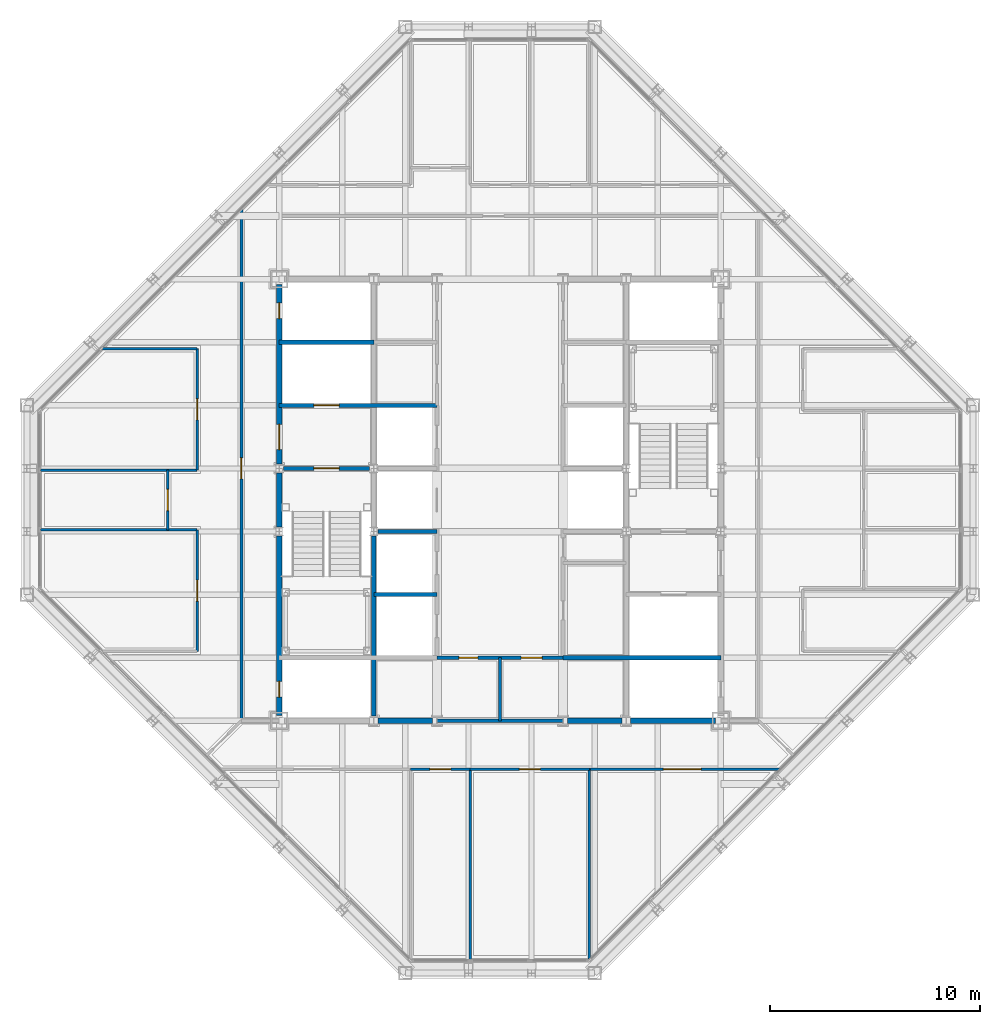
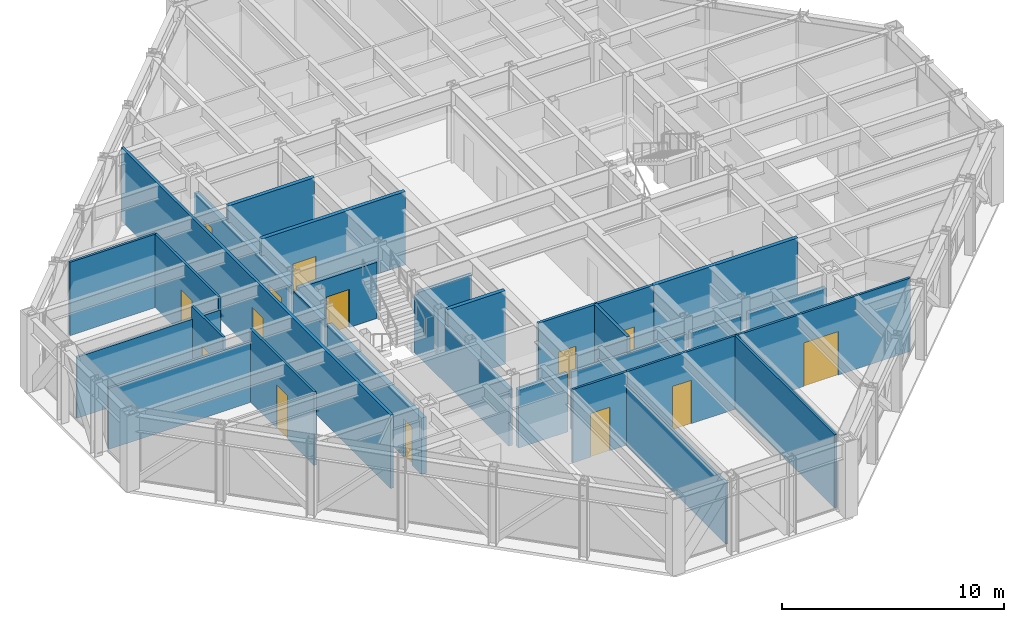
# One storey, part 10 of 15: 28 walls, 14 doors, 14 openings.
"""IFC4 building model written with IfcOpenShell, lengths in metres."""

from ifc_helpers import new_model, si_unit, direction, frame, frame_2d, origin, place, context, subcontext, project, spatial, rectangle, extrude, material, layer, layer_set, type_object, element, fill, save


model = new_model("IFC4")

# Units and contexts
model_context = context("Model", 3, precision=1e-05, world=origin(), true_north=direction((0.0, 1.0)))
body_context = subcontext(model_context, "Body", "Model", "MODEL_VIEW")
ifc_project = project(units=[si_unit("LENGTHUNIT", "METRE"), si_unit("AREAUNIT", "SQUARE_METRE"), si_unit("VOLUMEUNIT", "CUBIC_METRE"), si_unit("PLANEANGLEUNIT", "RADIAN"), si_unit("MASSUNIT", "GRAM", prefix="KILO")], contexts=[model_context])

# Site, building, storey
site_placement = place(None, origin())
site = spatial("IfcSite", under=ifc_project, at=site_placement, CompositionType="ELEMENT")
building_placement = place(site_placement, origin())
building = spatial("IfcBuilding", under=site, at=building_placement, Name="Chuquiago Exchange Tower", CompositionType="ELEMENT")
storey_placement = place(building_placement, frame((0.0, 0.0, 291.60009765625)))
storey = spatial("IfcBuildingStorey", under=building, at=storey_placement, Name="L65", CompositionType="ELEMENT", Elevation=291.60009765625)

# Wall, opening, door
ifc_material_1 = material(Name="Concrete masonry, fully grouted", Category="masonry")
ifc_layer_1 = layer(ifc_material_1, 0.25)
ifc_layer_set_1 = layer_set([ifc_layer_1], Name="W1 core wall 250")
wall_type_1 = type_object("IfcWallType", Name="W1 core wall 250", PredefinedType="SOLIDWALL", material=ifc_layer_set_1)
wall_1_placement = place(storey_placement, frame((12.0, 12.25, 0.0), z_axis=(0.0, 0.0, 1.0), x_axis=(0.0, 1.0, 0.0)))
wall_1 = element("IfcWall", 1, at=wall_1_placement, inside=storey, type_object=wall_type_1, Name="CW-L65-00-0", PredefinedType="SOLIDWALL", context=body_context, shape_type="SweptSolid", body=[
    extrude(rectangle(XDim=8.527587890625, YDim=0.25, at=frame_2d((4.263671875, 0.0))), origin(), (0.0, 0.0, 1.0), 3.11279296875),
])
opening_1_placement = place(wall_1_placement, frame((0.875, 0.0, 0.0)))
opening_1 = element("IfcOpeningElement", 2, at=opening_1_placement, cuts=wall_1, Name="Opening L65-007", PredefinedType="OPENING", context=body_context, shape_type="SweptSolid", body=[
    extrude(rectangle(XDim=0.75, YDim=2.10009765625, at=frame_2d((0.375, 1.050048828125))), frame((0.0, 0.135009765625, 0.0), z_axis=(0.0, -1.0, 0.0), x_axis=(1.0, 0.0, 0.0)), (0.0, 0.0, 1.0), 0.27001953125),
])
ifc_material_2 = material(Name="Steel door, painted", Category="steel")
door_type_1 = type_object("IfcDoorType", Name="D6 riser access door 750x2100", OperationType="SINGLE_SWING_LEFT", PredefinedType="DOOR", material=ifc_material_2)
door_1_placement = place(opening_1_placement, frame((0.75, 0.0, 0.0), z_axis=(0.0, 0.0, 1.0), x_axis=(-1.0, 0.0, 0.0)))
door_1 = element("IfcDoor", 3, at=door_1_placement, inside=storey, type_object=door_type_1, Name="Riser RW1 door", OperationType="SINGLE_SWING_RIGHT", OverallHeight=2.10009765625, OverallWidth=0.75, PredefinedType="DOOR", context=body_context, shape_type="SweptSolid", body=[
    extrude(rectangle(XDim=0.75, YDim=2.10009765625, at=frame_2d((0.375, 1.050048828125))), frame((0.0, 0.02490234375, 0.0), z_axis=(0.0, -1.0, 0.0), x_axis=(1.0, 0.0, 0.0)), (0.0, 0.0, 1.0), 0.050048828125),
])
fill(opening_1, door_1)

# Wall
wall_2_placement = place(storey_placement, frame((12.0, 21.222412109375, 0.0), z_axis=(0.0, 0.0, 1.0), x_axis=(0.0, 1.0, 0.0)))
element("IfcWall", 4, at=wall_2_placement, inside=storey, type_object=wall_type_1, Name="CW-L65-00-1", PredefinedType="SOLIDWALL", context=body_context, shape_type="SweptSolid", body=[
    extrude(rectangle(XDim=2.55517578125, YDim=0.25, at=frame_2d((1.277587890625, 0.0))), origin(), (0.0, 0.0, 1.0), 3.11279296875),
])

# Wall, openings, doors
wall_3_placement = place(storey_placement, frame((12.0, 24.222412109375, 0.0), z_axis=(0.0, 0.0, 1.0), x_axis=(0.0, 1.0, 0.0)))
wall_3 = element("IfcWall", 5, at=wall_3_placement, inside=storey, type_object=wall_type_1, Name="CW-L65-00-2", PredefinedType="SOLIDWALL", context=body_context, shape_type="SweptSolid", body=[
    extrude(rectangle(XDim=8.527587890625, YDim=0.25, at=frame_2d((4.263671875, 0.0))), origin(), (0.0, 0.0, 1.0), 3.11279296875),
])
opening_2_placement = place(wall_3_placement, frame((0.677734375, 0.0, 0.0)))
opening_2 = element("IfcOpeningElement", 6, at=opening_2_placement, cuts=wall_3, Name="Opening L65-002", PredefinedType="OPENING", context=body_context, shape_type="SweptSolid", body=[
    extrude(rectangle(XDim=1.199951171875, YDim=2.10009765625, at=frame_2d((0.60009765625, 1.050048828125))), frame((0.0, 0.135009765625, 0.0), z_axis=(0.0, -1.0, 0.0), x_axis=(1.0, 0.0, 0.0)), (0.0, 0.0, 1.0), 0.27001953125),
])
opening_3_placement = place(wall_3_placement, frame((6.902587890625, 0.0, 0.0)))
opening_3 = element("IfcOpeningElement", 7, at=opening_3_placement, cuts=wall_3, Name="Opening L65-008", PredefinedType="OPENING", context=body_context, shape_type="SweptSolid", body=[
    extrude(rectangle(XDim=0.75, YDim=2.10009765625, at=frame_2d((0.375, 1.050048828125))), frame((0.0, 0.135009765625, 0.0), z_axis=(0.0, -1.0, 0.0), x_axis=(1.0, 0.0, 0.0)), (0.0, 0.0, 1.0), 0.27001953125),
])
ifc_material_3 = material(Name="Steel door, painted", Category="steel")
door_type_2 = type_object("IfcDoorType", Name="D5 firefighting lobby door 1200x2100", OperationType="SINGLE_SWING_LEFT", PredefinedType="DOOR", material=ifc_material_3)
door_2_placement = place(opening_2_placement, frame((1.199951171875, 0.0, 0.0), z_axis=(0.0, 0.0, 1.0), x_axis=(-1.0, 0.0, 0.0)))
door_2 = element("IfcDoor", 8, at=door_2_placement, inside=storey, type_object=door_type_2, Name="Firefighting lobby 1 door", OperationType="SINGLE_SWING_RIGHT", OverallHeight=2.10009765625, OverallWidth=1.199951171875, PredefinedType="DOOR", context=body_context, shape_type="SweptSolid", body=[
    extrude(rectangle(XDim=1.199951171875, YDim=2.10009765625, at=frame_2d((0.60009765625, 1.050048828125))), frame((0.0, 0.02490234375, 0.0), z_axis=(0.0, -1.0, 0.0), x_axis=(1.0, 0.0, 0.0)), (0.0, 0.0, 1.0), 0.050048828125),
])
fill(opening_2, door_2)
door_3_placement = place(opening_3_placement, frame((0.75, 0.0, 0.0), z_axis=(0.0, 0.0, 1.0), x_axis=(-1.0, 0.0, 0.0)))
door_3 = element("IfcDoor", 9, at=door_3_placement, inside=storey, type_object=door_type_1, Name="Riser RW2 door", OperationType="SINGLE_SWING_LEFT", OverallHeight=2.10009765625, OverallWidth=0.75, PredefinedType="DOOR", context=body_context, shape_type="SweptSolid", body=[
    extrude(rectangle(XDim=0.75, YDim=2.10009765625, at=frame_2d((0.375, 1.050048828125))), frame((0.0, 0.02490234375, 0.0), z_axis=(0.0, -1.0, 0.0), x_axis=(1.0, 0.0, 0.0)), (0.0, 0.0, 1.0), 0.050048828125),
])
fill(opening_3, door_3)

# Walls
for number, where, z_axis, x_axis, name in (
    (10, (16.708251953125, 12.0, 0.0), (0.0, 0.0, 1.0), (1.0, 0.0, 0.0), "CW-L65-01-1"),
    (11, (25.708251953125, 12.0, 0.0), (0.0, 0.0, 1.0), (1.0, 0.0, 0.0), "CW-L65-02-0"),
):
    element("IfcWall", number, at=place(storey_placement, frame(where, z_axis=z_axis, x_axis=x_axis)), inside=storey, type_object=wall_type_1, Name=name, PredefinedType="SOLIDWALL", context=body_context, shape_type="SweptSolid", body=[
        extrude(rectangle(XDim=2.58349609375, YDim=0.25, at=frame_2d((1.291748046875, 0.0))), origin(), (0.0, 0.0, 1.0), 3.181396484375),
    ])
wall_4_placement = place(storey_placement, frame((28.708251953125, 12.0, 0.0), z_axis=(0.0, 0.0, 1.0), x_axis=(1.0, 0.0, 0.0)))
element("IfcWall", 12, at=wall_4_placement, inside=storey, type_object=wall_type_1, Name="CW-L65-02-1", PredefinedType="SOLIDWALL", context=body_context, shape_type="SweptSolid", body=[
    extrude(rectangle(XDim=4.041748046875, YDim=0.25, at=frame_2d((2.02099609375, 0.0))), origin(), (0.0, 0.0, 1.0), 3.181396484375),
])

# Wall, opening, door
ifc_material_4 = material(Name="Gypsum board on steel studs, acoustic insulation", Category="steel")
ifc_layer_2 = layer(ifc_material_4, 0.14990234375)
ifc_layer_set_2 = layer_set([ifc_layer_2], Name="W11 corridor wall 150")
wall_type_2 = type_object("IfcWallType", Name="W11 corridor wall 150", PredefinedType="PARTITIONING", material=ifc_layer_set_2)
wall_5_placement = place(storey_placement, frame((10.199951171875, 12.0, 0.0), z_axis=(0.0, 0.0, 1.0), x_axis=(0.0, 1.0, 0.0)))
wall_5 = element("IfcWall", 13, at=wall_5_placement, inside=storey, type_object=wall_type_2, Name="PW-L65-GW0", PredefinedType="PARTITIONING", context=body_context, shape_type="SweptSolid", body=[
    extrude(rectangle(XDim=24.314453125, YDim=0.14990234375, at=frame_2d((12.1572265625, 0.0))), origin(), (0.0, 0.0, 1.0), 4.039794921875),
])
opening_4_placement = place(wall_5_placement, frame((11.5, 0.0, 0.0)))
opening_4 = element("IfcOpeningElement", 14, at=opening_4_placement, cuts=wall_5, Name="Opening L65-041", PredefinedType="OPENING", context=body_context, shape_type="SweptSolid", body=[
    extrude(rectangle(XDim=1.0, YDim=2.39990234375, at=frame_2d((0.5, 1.199951171875))), frame((0.0, 0.0849609375, 0.0), z_axis=(0.0, -1.0, 0.0), x_axis=(1.0, 0.0, 0.0)), (0.0, 0.0, 1.0), 0.169921875),
])
ifc_material_5 = material(Name="Timber door, laminate faced", Category="wood")
door_type_3 = type_object("IfcDoorType", Name="D9 room door 1000x2400", OperationType="SINGLE_SWING_LEFT", PredefinedType="DOOR", material=ifc_material_5)
door_4_placement = place(opening_4_placement, origin())
door_4 = element("IfcDoor", 15, at=door_4_placement, inside=storey, type_object=door_type_3, Name="Team area door", OperationType="SINGLE_SWING_LEFT", OverallHeight=2.39990234375, OverallWidth=1.0, PredefinedType="DOOR", context=body_context, shape_type="SweptSolid", body=[
    extrude(rectangle(XDim=1.0, YDim=2.39990234375, at=frame_2d((0.5, 1.199951171875))), frame((0.0, 0.02490234375, 0.0), z_axis=(0.0, -1.0, 0.0), x_axis=(1.0, 0.0, 0.0)), (0.0, 0.0, 1.0), 0.050048828125),
])
fill(opening_4, door_4)

# Wall
ifc_material_6 = material(Name="Concrete masonry, fully grouted", Category="masonry")
ifc_layer_3 = layer(ifc_material_6, 0.199951171875)
ifc_layer_set_3 = layer_set([ifc_layer_3], Name="W2 shaft wall 200")
wall_type_3 = type_object("IfcWallType", Name="W2 shaft wall 200", PredefinedType="SOLIDWALL", material=ifc_layer_set_3)
wall_6_placement = place(storey_placement, frame((25.5, 15.0, 0.0), z_axis=(0.0, 0.0, 1.0), x_axis=(1.0, 0.0, 0.0)))
element("IfcWall", 16, at=wall_6_placement, inside=storey, type_object=wall_type_3, Name="CW-L65-04-0", PredefinedType="SOLIDWALL", context=body_context, shape_type="SweptSolid", body=[
    extrude(rectangle(XDim=7.5, YDim=0.199951171875, at=frame_2d((3.75, 0.0))), origin(), (0.0, 0.0, 1.0), 4.039794921875),
])

# Wall, opening, door
wall_7_placement = place(storey_placement, frame((12.208251953125, 24.0, 0.0), z_axis=(0.0, 0.0, 1.0), x_axis=(1.0, 0.0, 0.0)))
wall_7 = element("IfcWall", 17, at=wall_7_placement, inside=storey, type_object=wall_type_3, Name="CW-L65-05-0", PredefinedType="SOLIDWALL", context=body_context, shape_type="SweptSolid", body=[
    extrude(rectangle(XDim=4.08349609375, YDim=0.199951171875, at=frame_2d((2.041748046875, 0.0))), origin(), (0.0, 0.0, 1.0), 3.08984375),
])
opening_5_placement = place(wall_7_placement, frame((1.441650390625, 0.0, 0.0)))
opening_5 = element("IfcOpeningElement", 18, at=opening_5_placement, cuts=wall_7, Name="Opening L65-001", PredefinedType="OPENING", context=body_context, shape_type="SweptSolid", body=[
    extrude(rectangle(XDim=1.199951171875, YDim=2.10009765625, at=frame_2d((0.60009765625, 1.050048828125))), frame((0.0, 0.10986328125, 0.0), z_axis=(0.0, -1.0, 0.0), x_axis=(1.0, 0.0, 0.0)), (0.0, 0.0, 1.0), 0.219970703125),
])
ifc_material_7 = material(Name="Steel door, painted", Category="steel")
door_type_4 = type_object("IfcDoorType", Name="D4 stair door 1200x2100", OperationType="SINGLE_SWING_LEFT", PredefinedType="DOOR", material=ifc_material_7)
door_5_placement = place(opening_5_placement, frame((1.199951171875, 0.0, 0.0), z_axis=(0.0, 0.0, 1.0), x_axis=(-1.0, 0.0, 0.0)))
door_5 = element("IfcDoor", 19, at=door_5_placement, inside=storey, type_object=door_type_4, Name="Stair ST1 door", OperationType="SINGLE_SWING_LEFT", OverallHeight=2.10009765625, OverallWidth=1.199951171875, PredefinedType="DOOR", context=body_context, shape_type="SweptSolid", body=[
    extrude(rectangle(XDim=1.199951171875, YDim=2.10009765625, at=frame_2d((0.60009765625, 1.050048828125))), frame((0.0, 0.02490234375, 0.0), z_axis=(0.0, -1.0, 0.0), x_axis=(1.0, 0.0, 0.0)), (0.0, 0.0, 1.0), 0.050048828125),
])
fill(opening_5, door_5)

wall_8_placement = place(storey_placement, frame((12.0, 27.0, 0.0), z_axis=(0.0, 0.0, 1.0), x_axis=(1.0, 0.0, 0.0)))
wall_8 = element("IfcWall", 20, at=wall_8_placement, inside=storey, type_object=wall_type_3, Name="CW-L65-07-0", PredefinedType="SOLIDWALL", context=body_context, shape_type="SweptSolid", body=[
    extrude(rectangle(XDim=7.5, YDim=0.199951171875, at=frame_2d((3.75, 0.0))), origin(), (0.0, 0.0, 1.0), 4.039794921875),
])
opening_6_placement = place(wall_8_placement, frame((1.64990234375, 0.0, 0.0)))
opening_6 = element("IfcOpeningElement", 21, at=opening_6_placement, cuts=wall_8, Name="Opening L65-005", PredefinedType="OPENING", context=body_context, shape_type="SweptSolid", body=[
    extrude(rectangle(XDim=1.199951171875, YDim=2.10009765625, at=frame_2d((0.60009765625, 1.050048828125))), frame((0.0, 0.10986328125, 0.0), z_axis=(0.0, -1.0, 0.0), x_axis=(1.0, 0.0, 0.0)), (0.0, 0.0, 1.0), 0.219970703125),
])
ifc_material_8 = material(Name="Stainless steel lift landing door", Category="steel")
door_type_5 = type_object("IfcDoorType", Name="LD2 firefighting lift landing door 1200x2100", OperationType="DOUBLE_DOOR_SLIDING", PredefinedType="DOOR", material=ifc_material_8)
door_6_placement = place(opening_6_placement, origin())
door_6 = element("IfcDoor", 22, at=door_6_placement, inside=storey, type_object=door_type_5, Name="Firefighting lift FL1 landing door", OperationType="DOUBLE_DOOR_SLIDING", OverallHeight=2.10009765625, OverallWidth=1.199951171875, PredefinedType="DOOR", context=body_context, shape_type="SweptSolid", body=[
    extrude(rectangle(XDim=1.199951171875, YDim=2.10009765625, at=frame_2d((0.60009765625, 1.050048828125))), frame((0.0, 0.02490234375, 0.0), z_axis=(0.0, -1.0, 0.0), x_axis=(1.0, 0.0, 0.0)), (0.0, 0.0, 1.0), 0.050048828125),
])
fill(opening_6, door_6)

# Walls
wall_9_placement = place(storey_placement, frame((12.0, 30.0, 0.0), z_axis=(0.0, 0.0, 1.0), x_axis=(1.0, 0.0, 0.0)))
element("IfcWall", 23, at=wall_9_placement, inside=storey, type_object=wall_type_3, Name="CW-L65-09-0", PredefinedType="SOLIDWALL", context=body_context, shape_type="SweptSolid", body=[
    extrude(rectangle(XDim=4.5, YDim=0.199951171875, at=frame_2d((2.25, 0.0))), origin(), (0.0, 0.0, 1.0), 4.039794921875),
])
wall_10_placement = place(storey_placement, frame((16.5, 12.222412109375, 0.0), z_axis=(0.0, 0.0, 1.0), x_axis=(0.0, 1.0, 0.0)))
element("IfcWall", 24, at=wall_10_placement, inside=storey, type_object=wall_type_3, Name="CW-L65-13-0", PredefinedType="SOLIDWALL", context=body_context, shape_type="SweptSolid", body=[
    extrude(rectangle(XDim=8.55517578125, YDim=0.199951171875, at=frame_2d((4.277587890625, 0.0))), origin(), (0.0, 0.0, 1.0), 3.11279296875),
])
wall_11_placement = place(storey_placement, frame((16.5, 18.0, 0.0), z_axis=(0.0, 0.0, 1.0), x_axis=(1.0, 0.0, 0.0)))
element("IfcWall", 25, at=wall_11_placement, inside=storey, type_object=wall_type_3, Name="CW-L65-14-0", PredefinedType="SOLIDWALL", context=body_context, shape_type="SweptSolid", body=[
    extrude(rectangle(XDim=3.0, YDim=0.199951171875, at=frame_2d((1.5, 0.0))), origin(), (0.0, 0.0, 1.0), 4.039794921875),
])
wall_12_placement = place(storey_placement, frame((16.708251953125, 21.0, 0.0), z_axis=(0.0, 0.0, 1.0), x_axis=(1.0, 0.0, 0.0)))
element("IfcWall", 26, at=wall_12_placement, inside=storey, type_object=wall_type_3, Name="CW-L65-16-0", PredefinedType="SOLIDWALL", context=body_context, shape_type="SweptSolid", body=[
    extrude(rectangle(XDim=2.791748046875, YDim=0.199951171875, at=frame_2d((1.39599609375, 0.0))), origin(), (0.0, 0.0, 1.0), 3.08984375),
])

# Wall, openings, doors
ifc_material_9 = material(Name="Gypsum board on steel studs", Category="steel")
ifc_layer_4 = layer(ifc_material_9, 0.14990234375)
ifc_layer_set_4 = layer_set([ifc_layer_4], Name="W3 core partition 150")
wall_type_4 = type_object("IfcWallType", Name="W3 core partition 150", PredefinedType="PARTITIONING", material=ifc_layer_set_4)
wall_13_placement = place(storey_placement, frame((19.5, 15.0, 0.0), z_axis=(0.0, 0.0, 1.0), x_axis=(1.0, 0.0, 0.0)))
wall_13 = element("IfcWall", 27, at=wall_13_placement, inside=storey, type_object=wall_type_4, Name="CW-L65-TF", PredefinedType="PARTITIONING", context=body_context, shape_type="SweptSolid", body=[
    extrude(rectangle(XDim=6.0, YDim=0.14990234375, at=frame_2d((3.0, 0.0))), origin(), (0.0, 0.0, 1.0), 4.039794921875),
])
opening_7_placement = place(wall_13_placement, frame((4.0, 0.0, 0.0)))
opening_7 = element("IfcOpeningElement", 28, at=opening_7_placement, cuts=wall_13, Name="Opening L65-015", PredefinedType="OPENING", context=body_context, shape_type="SweptSolid", body=[
    extrude(rectangle(XDim=1.0, YDim=2.10009765625, at=frame_2d((0.5, 1.050048828125))), frame((0.0, 0.0849609375, 0.0), z_axis=(0.0, -1.0, 0.0), x_axis=(1.0, 0.0, 0.0)), (0.0, 0.0, 1.0), 0.169921875),
])
opening_8_placement = place(wall_13_placement, frame((1.050048828125, 0.0, 0.0)))
opening_8 = element("IfcOpeningElement", 29, at=opening_8_placement, cuts=wall_13, Name="Opening L65-018", PredefinedType="OPENING", context=body_context, shape_type="SweptSolid", body=[
    extrude(rectangle(XDim=0.89990234375, YDim=2.10009765625, at=frame_2d((0.449951171875, 1.050048828125))), frame((0.0, 0.0849609375, 0.0), z_axis=(0.0, -1.0, 0.0), x_axis=(1.0, 0.0, 0.0)), (0.0, 0.0, 1.0), 0.169921875),
])
ifc_material_10 = material(Name="Timber door, laminate faced", Category="wood")
door_type_6 = type_object("IfcDoorType", Name="D7 toilet door 900x2100", OperationType="SINGLE_SWING_LEFT", PredefinedType="DOOR", material=ifc_material_10)
door_7_placement = place(opening_8_placement, origin())
door_7 = element("IfcDoor", 30, at=door_7_placement, inside=storey, type_object=door_type_6, Name="Cleaner door", OperationType="SINGLE_SWING_LEFT", OverallHeight=2.10009765625, OverallWidth=0.89990234375, PredefinedType="DOOR", context=body_context, shape_type="SweptSolid", body=[
    extrude(rectangle(XDim=0.89990234375, YDim=2.10009765625, at=frame_2d((0.449951171875, 1.050048828125))), frame((0.0, 0.02490234375, 0.0), z_axis=(0.0, -1.0, 0.0), x_axis=(1.0, 0.0, 0.0)), (0.0, 0.0, 1.0), 0.050048828125),
])
fill(opening_8, door_7)
ifc_material_11 = material(Name="Timber door, laminate faced", Category="wood")
door_type_7 = type_object("IfcDoorType", Name="D8 accessible toilet door 1000x2100", OperationType="SLIDING_TO_LEFT", PredefinedType="DOOR", material=ifc_material_11)
door_8_placement = place(opening_7_placement, origin())
door_8 = element("IfcDoor", 31, at=door_8_placement, inside=storey, type_object=door_type_7, Name="Accessible WC door", OperationType="SLIDING_TO_LEFT", OverallHeight=2.10009765625, OverallWidth=1.0, PredefinedType="DOOR", context=body_context, shape_type="SweptSolid", body=[
    extrude(rectangle(XDim=1.0, YDim=2.10009765625, at=frame_2d((0.5, 1.050048828125))), frame((0.0, 0.02490234375, 0.0), z_axis=(0.0, -1.0, 0.0), x_axis=(1.0, 0.0, 0.0)), (0.0, 0.0, 1.0), 0.050048828125),
])
fill(opening_7, door_8)

# Walls
wall_14_placement = place(storey_placement, frame((22.5, 15.0, 0.0), z_axis=(0.0, 0.0, 1.0), x_axis=(0.0, -1.0, 0.0)))
element("IfcWall", 32, at=wall_14_placement, inside=storey, type_object=wall_type_4, Name="CW-L65-TM", PredefinedType="PARTITIONING", context=body_context, shape_type="SweptSolid", body=[
    extrude(rectangle(XDim=3.0, YDim=0.14990234375, at=frame_2d((1.5, 0.0))), origin(), (0.0, 0.0, 1.0), 4.039794921875),
])
wall_15_placement = place(storey_placement, frame((19.5, 12.0, 0.0), z_axis=(0.0, 0.0, 1.0), x_axis=(1.0, 0.0, 0.0)))
element("IfcWall", 33, at=wall_15_placement, inside=storey, type_object=wall_type_4, Name="CW-L65-TB", PredefinedType="PARTITIONING", context=body_context, shape_type="SweptSolid", body=[
    extrude(rectangle(XDim=6.0, YDim=0.14990234375, at=frame_2d((3.0, 0.0))), origin(), (0.0, 0.0, 1.0), 3.181396484375),
])
ifc_material_12 = material(Name="Gypsum board on steel studs", Category="steel")
ifc_layer_5 = layer(ifc_material_12, 0.1201171875)
ifc_layer_set_5 = layer_set([ifc_layer_5], Name="W4 partition 120")
wall_type_5 = type_object("IfcWallType", Name="W4 partition 120", PredefinedType="PARTITIONING", material=ifc_layer_set_5)
wall_16_placement = place(storey_placement, frame((21.082763671875, 0.652587890625, 0.0), z_axis=(0.0, 0.0, 1.0), x_axis=(0.0, 1.0, 0.0)))
element("IfcWall", 34, at=wall_16_placement, inside=storey, type_object=wall_type_5, Name="PW-L65-S02108", PredefinedType="PARTITIONING", context=body_context, shape_type="SweptSolid", body=[
    extrude(rectangle(XDim=9.04736328125, YDim=0.1201171875, at=frame_2d((4.523681640625, 0.0))), origin(), (0.0, 0.0, 1.0), 3.356689453125),
])
wall_17_placement = place(storey_placement, frame((26.75146484375, 0.666015625, 0.0), z_axis=(0.0, 0.0, 1.0), x_axis=(0.0, 1.0, 0.0)))
element("IfcWall", 35, at=wall_17_placement, inside=storey, type_object=wall_type_5, Name="PW-L65-S02675", PredefinedType="PARTITIONING", context=body_context, shape_type="SweptSolid", body=[
    extrude(rectangle(XDim=9.033935546875, YDim=0.1201171875, at=frame_2d((4.51708984375, 0.0))), origin(), (0.0, 0.0, 1.0), 4.039794921875),
])

# Wall, opening, door
wall_18_placement = place(storey_placement, frame((18.24853515625, 9.699951171875, 0.0), z_axis=(0.0, 0.0, 1.0), x_axis=(1.0, 0.0, 0.0)))
wall_18 = element("IfcWall", 36, at=wall_18_placement, inside=storey, type_object=wall_type_5, Name="PW-L65-SF01825", PredefinedType="PARTITIONING", context=body_context, shape_type="SweptSolid", body=[
    extrude(rectangle(XDim=2.834228515625, YDim=0.1201171875, at=frame_2d((1.4169921875, 0.0))), origin(), (0.0, 0.0, 1.0), 4.039794921875),
])
opening_9_placement = place(wall_18_placement, frame((0.9169921875, 0.0, 0.0)))
opening_9 = element("IfcOpeningElement", 37, at=opening_9_placement, cuts=wall_18, Name="Opening L65-024", PredefinedType="OPENING", context=body_context, shape_type="SweptSolid", body=[
    extrude(rectangle(XDim=1.0, YDim=2.39990234375, at=frame_2d((0.5, 1.199951171875))), frame((0.0, 0.070068359375, 0.0), z_axis=(0.0, -1.0, 0.0), x_axis=(1.0, 0.0, 0.0)), (0.0, 0.0, 1.0), 0.14013671875),
])
door_9_placement = place(opening_9_placement, frame((1.0, 0.0, 0.0), z_axis=(0.0, 0.0, 1.0), x_axis=(-1.0, 0.0, 0.0)))
door_9 = element("IfcDoor", 38, at=door_9_placement, inside=storey, type_object=door_type_3, Name="Executive office door", OperationType="SINGLE_SWING_RIGHT", OverallHeight=2.39990234375, OverallWidth=1.0, PredefinedType="DOOR", context=body_context, shape_type="SweptSolid", body=[
    extrude(rectangle(XDim=1.0, YDim=2.39990234375, at=frame_2d((0.5, 1.199951171875))), frame((0.0, 0.02490234375, 0.0), z_axis=(0.0, -1.0, 0.0), x_axis=(1.0, 0.0, 0.0)), (0.0, 0.0, 1.0), 0.050048828125),
])
fill(opening_9, door_9)

wall_19_placement = place(storey_placement, frame((21.082763671875, 9.699951171875, 0.0), z_axis=(0.0, 0.0, 1.0), x_axis=(1.0, 0.0, 0.0)))
wall_19 = element("IfcWall", 39, at=wall_19_placement, inside=storey, type_object=wall_type_5, Name="PW-L65-SF02108", PredefinedType="PARTITIONING", context=body_context, shape_type="SweptSolid", body=[
    extrude(rectangle(XDim=5.668701171875, YDim=0.1201171875, at=frame_2d((2.83447265625, 0.0))), origin(), (0.0, 0.0, 1.0), 4.039794921875),
])
opening_10_placement = place(wall_19_placement, frame((2.33447265625, 0.0, 0.0)))
opening_10 = element("IfcOpeningElement", 40, at=opening_10_placement, cuts=wall_19, Name="Opening L65-025", PredefinedType="OPENING", context=body_context, shape_type="SweptSolid", body=[
    extrude(rectangle(XDim=1.0, YDim=2.39990234375, at=frame_2d((0.5, 1.199951171875))), frame((0.0, 0.070068359375, 0.0), z_axis=(0.0, -1.0, 0.0), x_axis=(1.0, 0.0, 0.0)), (0.0, 0.0, 1.0), 0.14013671875),
])
door_10_placement = place(opening_10_placement, frame((1.0, 0.0, 0.0), z_axis=(0.0, 0.0, 1.0), x_axis=(-1.0, 0.0, 0.0)))
door_10 = element("IfcDoor", 41, at=door_10_placement, inside=storey, type_object=door_type_3, Name="Executive office door", OperationType="SINGLE_SWING_LEFT", OverallHeight=2.39990234375, OverallWidth=1.0, PredefinedType="DOOR", context=body_context, shape_type="SweptSolid", body=[
    extrude(rectangle(XDim=1.0, YDim=2.39990234375, at=frame_2d((0.5, 1.199951171875))), frame((0.0, 0.02490234375, 0.0), z_axis=(0.0, -1.0, 0.0), x_axis=(1.0, 0.0, 0.0)), (0.0, 0.0, 1.0), 0.050048828125),
])
fill(opening_10, door_10)

wall_20_placement = place(storey_placement, frame((26.75146484375, 9.699951171875, 0.0), z_axis=(0.0, 0.0, 1.0), x_axis=(1.0, 0.0, 0.0)))
wall_20 = element("IfcWall", 42, at=wall_20_placement, inside=storey, type_object=wall_type_5, Name="PW-L65-SF02675", PredefinedType="PARTITIONING", context=body_context, shape_type="SweptSolid", body=[
    extrude(rectangle(XDim=9.06298828125, YDim=0.1201171875, at=frame_2d((4.531494140625, 0.0))), origin(), (0.0, 0.0, 1.0), 4.039794921875),
])
opening_11_placement = place(wall_20_placement, frame((3.51220703125, 0.0, 0.0)))
opening_11 = element("IfcOpeningElement", 43, at=opening_11_placement, cuts=wall_20, Name="Opening L65-026", PredefinedType="OPENING", context=body_context, shape_type="SweptSolid", body=[
    extrude(rectangle(XDim=1.800048828125, YDim=2.39990234375, at=frame_2d((0.89990234375, 1.199951171875))), frame((0.0, 0.070068359375, 0.0), z_axis=(0.0, -1.0, 0.0), x_axis=(1.0, 0.0, 0.0)), (0.0, 0.0, 1.0), 0.14013671875),
])
ifc_material_13 = material(Name="Timber door pair, laminate faced", Category="wood")
door_type_8 = type_object("IfcDoorType", Name="D15 double room door 1800x2400", OperationType="DOUBLE_DOOR_DOUBLE_SWING", PredefinedType="DOOR", material=ifc_material_13)
door_11_placement = place(opening_11_placement, origin())
door_11 = element("IfcDoor", 44, at=door_11_placement, inside=storey, type_object=door_type_8, Name="Dining room door", OperationType="DOUBLE_DOOR_DOUBLE_SWING", OverallHeight=2.39990234375, OverallWidth=1.800048828125, PredefinedType="DOOR", context=body_context, shape_type="SweptSolid", body=[
    extrude(rectangle(XDim=1.800048828125, YDim=2.39990234375, at=frame_2d((0.89990234375, 1.199951171875))), frame((0.0, 0.02490234375, 0.0), z_axis=(0.0, -1.0, 0.0), x_axis=(1.0, 0.0, 0.0)), (0.0, 0.0, 1.0), 0.050048828125),
])
fill(opening_11, door_11)

# Walls
for number, where, z_axis, x_axis, name in (
    (45, (0.652587890625, 21.082763671875, 0.0), (0.0, 0.0, 1.0), (1.0, 0.0, 0.0), "PW-L65-W02108"),
    (46, (0.652587890625, 23.917236328125, 0.0), (0.0, 0.0, 1.0), (1.0, 0.0, 0.0), "PW-L65-W02392"),
):
    element("IfcWall", number, at=place(storey_placement, frame(where, z_axis=z_axis, x_axis=x_axis)), inside=storey, type_object=wall_type_5, Name=name, PredefinedType="PARTITIONING", context=body_context, shape_type="SweptSolid", body=[
        extrude(rectangle(XDim=7.447509765625, YDim=0.1201171875, at=frame_2d((3.7236328125, 0.0))), origin(), (0.0, 0.0, 1.0), 3.356689453125),
    ])
wall_21_placement = place(storey_placement, frame((3.607421875, 29.69287109375, 0.0), z_axis=(0.0, 0.0, 1.0), x_axis=(1.0, 0.0, 0.0)))
element("IfcWall", 47, at=wall_21_placement, inside=storey, type_object=wall_type_5, Name="PW-L65-W02969", PredefinedType="PARTITIONING", context=body_context, shape_type="SweptSolid", body=[
    extrude(rectangle(XDim=4.49267578125, YDim=0.1201171875, at=frame_2d((2.246337890625, 0.0))), origin(), (0.0, 0.0, 1.0), 4.039794921875),
])

# Wall, opening, door
wall_22_placement = place(storey_placement, frame((8.10009765625, 15.30712890625, 0.0), z_axis=(0.0, 0.0, 1.0), x_axis=(0.0, 1.0, 0.0)))
wall_22 = element("IfcWall", 48, at=wall_22_placement, inside=storey, type_object=wall_type_5, Name="PW-L65-WF01531", PredefinedType="PARTITIONING", context=body_context, shape_type="SweptSolid", body=[
    extrude(rectangle(XDim=5.775634765625, YDim=0.1201171875, at=frame_2d((2.8876953125, 0.0))), origin(), (0.0, 0.0, 1.0), 4.039794921875),
])
opening_12_placement = place(wall_22_placement, frame((2.3876953125, 0.0, 0.0)))
opening_12 = element("IfcOpeningElement", 49, at=opening_12_placement, cuts=wall_22, Name="Opening L65-037", PredefinedType="OPENING", context=body_context, shape_type="SweptSolid", body=[
    extrude(rectangle(XDim=1.0, YDim=2.39990234375, at=frame_2d((0.5, 1.199951171875))), frame((0.0, 0.070068359375, 0.0), z_axis=(0.0, -1.0, 0.0), x_axis=(1.0, 0.0, 0.0)), (0.0, 0.0, 1.0), 0.14013671875),
])
door_12_placement = place(opening_12_placement, origin())
door_12 = element("IfcDoor", 50, at=door_12_placement, inside=storey, type_object=door_type_3, Name="Office door", OperationType="SINGLE_SWING_LEFT", OverallHeight=2.39990234375, OverallWidth=1.0, PredefinedType="DOOR", context=body_context, shape_type="SweptSolid", body=[
    extrude(rectangle(XDim=1.0, YDim=2.39990234375, at=frame_2d((0.5, 1.199951171875))), frame((0.0, 0.02490234375, 0.0), z_axis=(0.0, -1.0, 0.0), x_axis=(1.0, 0.0, 0.0)), (0.0, 0.0, 1.0), 0.050048828125),
])
fill(opening_12, door_12)

wall_23_placement = place(storey_placement, frame((6.699951171875, 21.082763671875, 0.0), z_axis=(0.0, 0.0, 1.0), x_axis=(0.0, 1.0, 0.0)))
wall_23 = element("IfcWall", 51, at=wall_23_placement, inside=storey, type_object=wall_type_5, Name="PW-L65-WF02108", PredefinedType="PARTITIONING", context=body_context, shape_type="SweptSolid", body=[
    extrude(rectangle(XDim=2.83447265625, YDim=0.1201171875, at=frame_2d((1.417236328125, 0.0))), origin(), (0.0, 0.0, 1.0), 4.039794921875),
])
opening_13_placement = place(wall_23_placement, frame((0.917236328125, 0.0, 0.0)))
opening_13 = element("IfcOpeningElement", 52, at=opening_13_placement, cuts=wall_23, Name="Opening L65-038", PredefinedType="OPENING", context=body_context, shape_type="SweptSolid", body=[
    extrude(rectangle(XDim=1.0, YDim=2.39990234375, at=frame_2d((0.5, 1.199951171875))), frame((0.0, 0.070068359375, 0.0), z_axis=(0.0, -1.0, 0.0), x_axis=(1.0, 0.0, 0.0)), (0.0, 0.0, 1.0), 0.14013671875),
])
ifc_material_14 = material(Name="Timber frame door, full height glazed panel", Category="wood")
door_type_9 = type_object("IfcDoorType", Name="D14 glazed meeting room door 1000x2400", OperationType="SINGLE_SWING_LEFT", PredefinedType="DOOR", material=ifc_material_14)
door_13_placement = place(opening_13_placement, origin())
door_13 = element("IfcDoor", 53, at=door_13_placement, inside=storey, type_object=door_type_9, Name="Wellness room door", OperationType="SINGLE_SWING_LEFT", OverallHeight=2.39990234375, OverallWidth=1.0, PredefinedType="DOOR", context=body_context, shape_type="SweptSolid", body=[
    extrude(rectangle(XDim=1.0, YDim=2.39990234375, at=frame_2d((0.5, 1.199951171875))), frame((0.0, 0.02490234375, 0.0), z_axis=(0.0, -1.0, 0.0), x_axis=(1.0, 0.0, 0.0)), (0.0, 0.0, 1.0), 0.050048828125),
])
fill(opening_13, door_13)

wall_24_placement = place(storey_placement, frame((8.10009765625, 23.917236328125, 0.0), z_axis=(0.0, 0.0, 1.0), x_axis=(0.0, 1.0, 0.0)))
wall_24 = element("IfcWall", 54, at=wall_24_placement, inside=storey, type_object=wall_type_5, Name="PW-L65-WF02392", PredefinedType="PARTITIONING", context=body_context, shape_type="SweptSolid", body=[
    extrude(rectangle(XDim=5.775634765625, YDim=0.1201171875, at=frame_2d((2.8876953125, 0.0))), origin(), (0.0, 0.0, 1.0), 4.039794921875),
])
opening_14_placement = place(wall_24_placement, frame((2.387939453125, 0.0, 0.0)))
opening_14 = element("IfcOpeningElement", 55, at=opening_14_placement, cuts=wall_24, Name="Opening L65-039", PredefinedType="OPENING", context=body_context, shape_type="SweptSolid", body=[
    extrude(rectangle(XDim=1.0, YDim=2.39990234375, at=frame_2d((0.5, 1.199951171875))), frame((0.0, 0.070068359375, 0.0), z_axis=(0.0, -1.0, 0.0), x_axis=(1.0, 0.0, 0.0)), (0.0, 0.0, 1.0), 0.14013671875),
])
door_14_placement = place(opening_14_placement, origin())
door_14 = element("IfcDoor", 56, at=door_14_placement, inside=storey, type_object=door_type_3, Name="Executive office door", OperationType="SINGLE_SWING_RIGHT", OverallHeight=2.39990234375, OverallWidth=1.0, PredefinedType="DOOR", context=body_context, shape_type="SweptSolid", body=[
    extrude(rectangle(XDim=1.0, YDim=2.39990234375, at=frame_2d((0.5, 1.199951171875))), frame((0.0, 0.02490234375, 0.0), z_axis=(0.0, -1.0, 0.0), x_axis=(1.0, 0.0, 0.0)), (0.0, 0.0, 1.0), 0.050048828125),
])
fill(opening_14, door_14)

save(model, "model.ifc")
